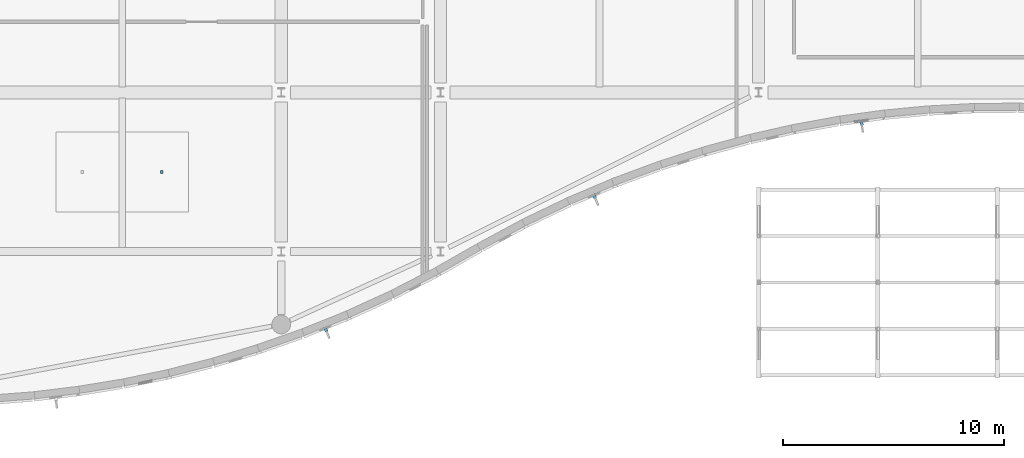
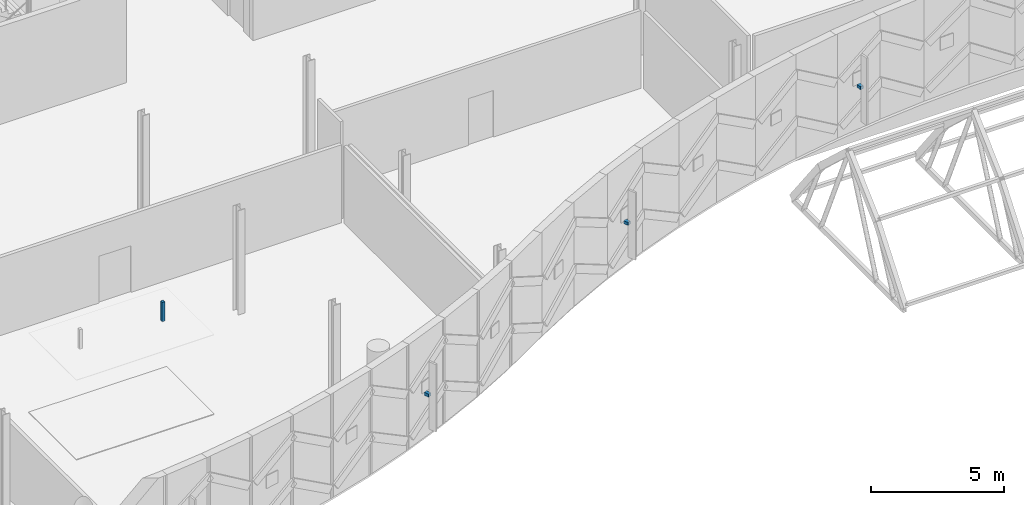
# One storey, part 176 of 220: 4 discrete accessories.
"""IFC4 building model written with IfcOpenShell, lengths in metres."""

from ifc_helpers import new_model, si_unit, direction, frame, origin, origin_2d, place, context, subcontext, project, spatial, rectangle, extrude, material, type_object, element, save


model = new_model("IFC4")

# Units and contexts
model_context = context("Model", 3, precision=1e-05, world=origin(), true_north=direction((0.0, 1.0)))
body_context = subcontext(model_context, "Body", "Model", "MODEL_VIEW")
ifc_project = project(units=[si_unit("LENGTHUNIT", "METRE"), si_unit("AREAUNIT", "SQUARE_METRE"), si_unit("VOLUMEUNIT", "CUBIC_METRE"), si_unit("PLANEANGLEUNIT", "RADIAN"), si_unit("MASSUNIT", "GRAM", prefix="KILO")], contexts=[model_context])

# Site, building, storey
site_placement = place(None, origin())
site = spatial("IfcSite", under=ifc_project, at=site_placement, CompositionType="ELEMENT")
building_placement = place(site_placement, origin())
building = spatial("IfcBuilding", under=site, at=building_placement, Name="Cendralis Lancet Convention Centre", CompositionType="ELEMENT")
storey_placement = place(building_placement, frame((0.0, 0.0, 5.39990234375)))
storey = spatial("IfcBuildingStorey", under=building, at=storey_placement, Name="L01", CompositionType="ELEMENT", Elevation=5.39990234375)

# Discrete accessories
ifc_material = material(Name="Steel S355", Category="steel")
discrete_accessory_type_1 = type_object("IfcDiscreteAccessoryType", Name="ARC-BRK-CLG", PredefinedType="BRACKET", material=ifc_material)
discrete_accessory_placement = place(storey_placement, frame((66.60009765625, 10.800048828125, 3.650390625), z_axis=(0.0, 0.0, 1.0), x_axis=(1.0, 0.0, 0.0)))
element("IfcDiscreteAccessory", 1, at=discrete_accessory_placement, inside=storey, type_object=discrete_accessory_type_1, Name="L01 Ceiling Suspension Bracket #06-2", PredefinedType="BRACKET", context=body_context, shape_type="SweptSolid", body=[
    extrude(rectangle(XDim=0.1201171875, YDim=0.1201171875, at=origin_2d()), origin(), (0.0, 0.0, 1.0), 0.889892578125),
])
discrete_accessory_type_2 = type_object("IfcDiscreteAccessoryType", Name="ARC-BRK-FIN", PredefinedType="BRACKET", material=ifc_material)
for number, where, z_axis, x_axis, name in (
    (2, (74.017822265625, 3.673095703125, 1.93017578125), (0.0, 0.0, 1.0), (0.928063926041, 0.372420930105, 0.0), "Facade Fin Bracket BK-FIN #013"),
    (3, (86.173828125, 9.692626953125, 1.93017578125), (0.0, 0.0, 1.0), (0.920756984653, 0.390136610961, 0.0), "Facade Fin Bracket BK-FIN #015"),
    (4, (98.259033203125, 13.028564453125, 1.93017578125), (0.0, 0.0, 1.0), (0.990576513035, 0.136960475405, 0.0), "Facade Fin Bracket BK-FIN #017"),
):
    element("IfcDiscreteAccessory", number, at=place(storey_placement, frame(where, z_axis=z_axis, x_axis=x_axis)), inside=storey, type_object=discrete_accessory_type_2, Name=name, PredefinedType="BRACKET", context=body_context, shape_type="SweptSolid", body=[
        extrude(rectangle(XDim=0.139892578125, YDim=0.219970703125, at=origin_2d()), origin(), (0.0, 0.0, 1.0), 0.139892578125),
    ])

save(model, "model.ifc")
